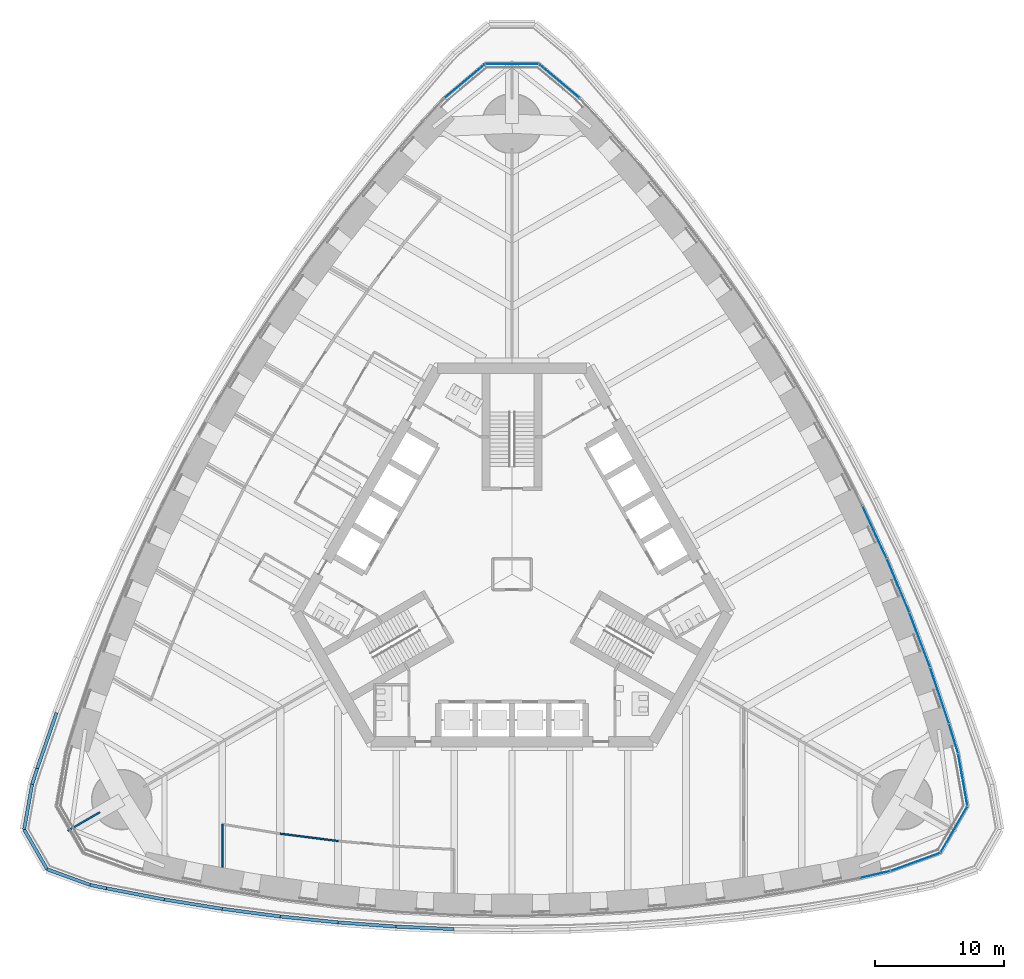
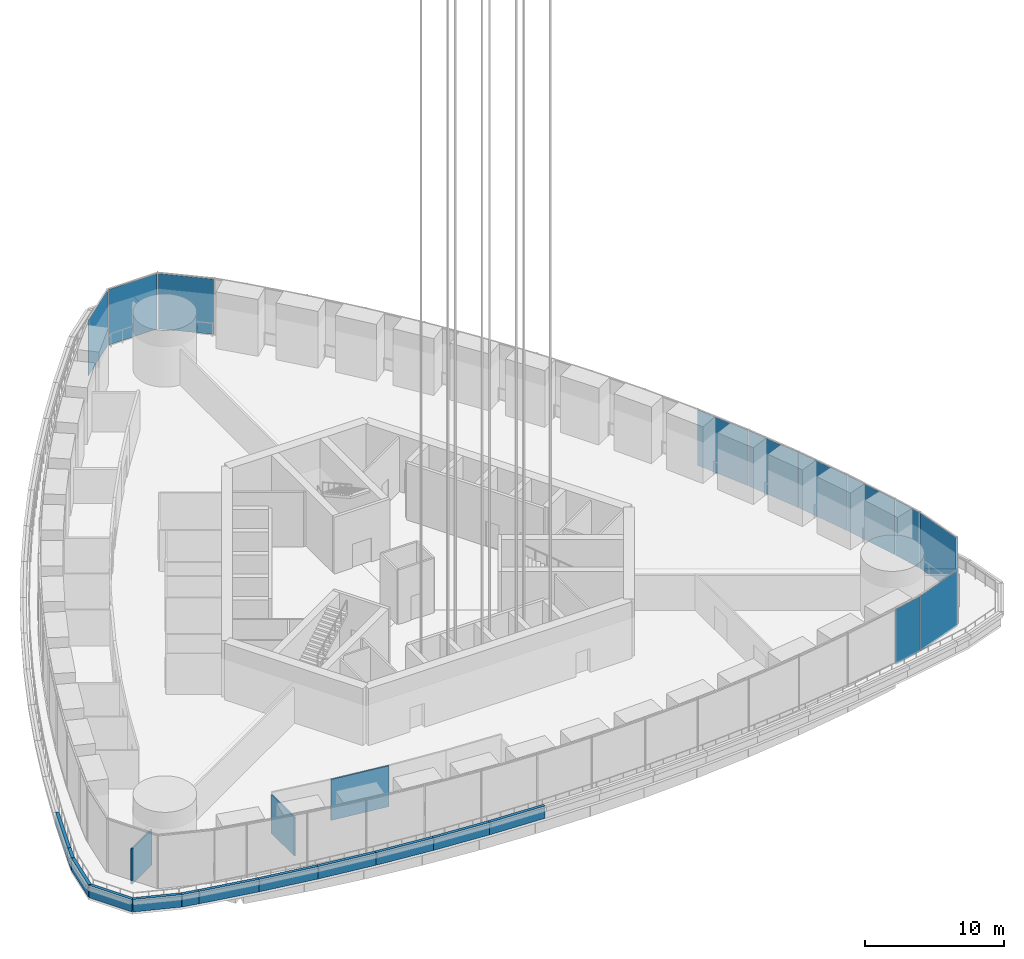
# One storey, part 13 of 33: 15 walls, 12 plates, 4 elements without a shape of their own.
"""IFC4 building model written with IfcOpenShell, lengths in metres."""

from ifc_helpers import new_model, si_unit, direction, frame, frame_2d, origin, origin_2d, place, context, subcontext, project, spatial, rectangle, extrude, material, layer, layer_set, type_object, element, aggregate, save


model = new_model("IFC4")

# Units and contexts
model_context = context("Model", 3, precision=1e-05, world=origin(), true_north=direction((0.0, 1.0)))
body_context = subcontext(model_context, "Body", "Model", "MODEL_VIEW")
ifc_project = project(units=[si_unit("LENGTHUNIT", "METRE"), si_unit("AREAUNIT", "SQUARE_METRE"), si_unit("VOLUMEUNIT", "CUBIC_METRE"), si_unit("PLANEANGLEUNIT", "RADIAN"), si_unit("MASSUNIT", "GRAM", prefix="KILO")], contexts=[model_context])

# Site, building, storey
site_placement = place(None, origin())
site = spatial("IfcSite", under=ifc_project, at=site_placement, CompositionType="ELEMENT")
building_placement = place(site_placement, origin())
building = spatial("IfcBuilding", under=site, at=building_placement, Name="Trefoil Bronze Tower", CompositionType="ELEMENT")
storey_placement = place(building_placement, frame((0.0, 0.0, 98.10009765625)))
storey = spatial("IfcBuildingStorey", under=building, at=storey_placement, Name="L22", CompositionType="ELEMENT", Elevation=98.10009765625)

# Curtain wall, plates
ifc_material_1 = material(Name="Tinted solar-control glass", Category="glass")
curtain_wall_type_1 = type_object("IfcCurtainWallType", Name="Bronze rounded corner curtain wall", PredefinedType="USERDEFINED", material=ifc_material_1)
curtain_wall_1_placement = place(storey_placement, origin())
curtain_wall_1 = element("IfcCurtainWall", 1, at=curtain_wall_1_placement, inside=storey, type_object=curtain_wall_type_1, Name="CW-B L22 K1", ObjectType="CURTAIN WALL", PredefinedType="USERDEFINED")
ifc_material_2 = material(Name="Tinted solar-control glass", Category="glass")
ifc_layer_1 = layer(ifc_material_2, 0.030029296875)
ifc_layer_set_1 = layer_set([ifc_layer_1], Name="Bronze rounded corner curtain wall glass panel")
plate_type_1 = type_object("IfcPlateType", Name="Bronze rounded corner curtain wall glass panel", PredefinedType="CURTAIN_PANEL", material=ifc_layer_set_1)
plate_1_placement = place(storey_placement, frame((31.3203125, -22.341796875, 0.0), z_axis=(0.0, 0.0, 1.0), x_axis=(0.939692620786, 0.342020143326, 0.0)))
plate_1 = element("IfcPlate", 2, at=plate_1_placement, type_object=plate_type_1, Name="CW-B L22 K1 panel 1", PredefinedType="CURTAIN_PANEL", context=body_context, shape_type="SweptSolid", body=[
    extrude(rectangle(XDim=4.044189453125, YDim=0.030029296875, at=origin_2d()), origin(), (0.0, 0.0, 1.0), 4.8798828125),
])
plate_2_placement = place(storey_placement, frame((34.3271484375, -19.81884765625, 0.0), z_axis=(0.0, 0.0, 1.0), x_axis=(0.5, 0.866025403784, 0.0)))
plate_2 = element("IfcPlate", 3, at=plate_2_placement, type_object=plate_type_1, Name="CW-B L22 K1 panel 2", PredefinedType="CURTAIN_PANEL", context=body_context, shape_type="SweptSolid", body=[
    extrude(rectangle(XDim=4.044189453125, YDim=0.030029296875, at=origin_2d()), origin(), (0.0, 0.0, 1.0), 4.8798828125),
])
plate_3_placement = place(storey_placement, frame((35.0087890625, -15.953369140625, 0.0), z_axis=(0.0, 0.0, 1.0), x_axis=(-0.173648177667, 0.984807753012, 0.0)))
plate_3 = element("IfcPlate", 4, at=plate_3_placement, type_object=plate_type_1, Name="CW-B L22 K1 panel 3", PredefinedType="CURTAIN_PANEL", context=body_context, shape_type="SweptSolid", body=[
    extrude(rectangle(XDim=4.044189453125, YDim=0.030029296875, at=origin_2d()), origin(), (0.0, 0.0, 1.0), 4.8798828125),
])
aggregate(curtain_wall_1, [plate_1, plate_2, plate_3])

curtain_wall_2_placement = place(storey_placement, origin())
curtain_wall_2 = element("IfcCurtainWall", 5, at=curtain_wall_2_placement, inside=storey, type_object=curtain_wall_type_1, Name="CW-B L22 K2", ObjectType="CURTAIN WALL", PredefinedType="USERDEFINED")
plate_4_placement = place(storey_placement, frame((3.6884765625, 38.294921875, 0.0), z_axis=(0.0, 0.0, 1.0), x_axis=(-0.766044443119, 0.642787609687, 0.0)))
plate_4 = element("IfcPlate", 6, at=plate_4_placement, type_object=plate_type_1, Name="CW-B L22 K2 panel 1", PredefinedType="CURTAIN_PANEL", context=body_context, shape_type="SweptSolid", body=[
    extrude(rectangle(XDim=4.044189453125, YDim=0.030029296875, at=origin_2d()), origin(), (0.0, 0.0, 1.0), 4.8798828125),
])
plate_5_placement = place(storey_placement, frame((0.0, 39.637451171875, 0.0), z_axis=(0.0, 0.0, 1.0), x_axis=(-1.0, 0.0, 0.0)))
plate_5 = element("IfcPlate", 7, at=plate_5_placement, type_object=plate_type_1, Name="CW-B L22 K2 panel 2", PredefinedType="CURTAIN_PANEL", context=body_context, shape_type="SweptSolid", body=[
    extrude(rectangle(XDim=4.044189453125, YDim=0.030029296875, at=origin_2d()), origin(), (0.0, 0.0, 1.0), 4.8798828125),
])
plate_6_placement = place(storey_placement, frame((-3.6884765625, 38.294921875, 0.0), z_axis=(0.0, 0.0, 1.0), x_axis=(-0.766044443119, -0.642787609687, 0.0)))
plate_6 = element("IfcPlate", 8, at=plate_6_placement, type_object=plate_type_1, Name="CW-B L22 K2 panel 3", PredefinedType="CURTAIN_PANEL", context=body_context, shape_type="SweptSolid", body=[
    extrude(rectangle(XDim=4.044189453125, YDim=0.030029296875, at=origin_2d()), origin(), (0.0, 0.0, 1.0), 4.8798828125),
])
aggregate(curtain_wall_2, [plate_4, plate_5, plate_6])

# Curtain wall, plate
ifc_material_3 = material(Name="Tinted solar-control glass", Category="glass")
curtain_wall_type_2 = type_object("IfcCurtainWallType", Name="Bronze sky lobby curtain wall", PredefinedType="USERDEFINED", material=ifc_material_3)
curtain_wall_3_placement = place(storey_placement, origin())
curtain_wall_3 = element("IfcCurtainWall", 9, at=curtain_wall_3_placement, inside=storey, type_object=curtain_wall_type_2, Name="CW-D L22 F1", ObjectType="CURTAIN WALL", PredefinedType="USERDEFINED")
ifc_material_4 = material(Name="Tinted solar-control glass", Category="glass")
ifc_layer_2 = layer(ifc_material_4, 0.030029296875)
ifc_layer_set_2 = layer_set([ifc_layer_2], Name="Bronze sky lobby curtain wall glass panel")
plate_type_2 = type_object("IfcPlateType", Name="Bronze sky lobby curtain wall glass panel", PredefinedType="CURTAIN_PANEL", material=ifc_layer_set_2)
plate_7_placement = place(storey_placement, frame((28.201416015625, -23.320068359375, 0.0), z_axis=(0.0, 0.0, 1.0), x_axis=(0.97420444715, 0.225667222151, 0.0)))
plate_7 = element("IfcPlate", 10, at=plate_7_placement, type_object=plate_type_2, Name="CW-D L22 F1 panel 14", PredefinedType="CURTAIN_PANEL", context=body_context, shape_type="SweptSolid", body=[
    extrude(rectangle(XDim=2.360107421875, YDim=0.030029296875, at=origin_2d()), origin(), (0.0, 0.0, 1.0), 4.8798828125),
])
aggregate(curtain_wall_3, [plate_7])

# Curtain wall, plates
curtain_wall_4_placement = place(storey_placement, origin())
curtain_wall_4 = element("IfcCurtainWall", 11, at=curtain_wall_4_placement, inside=storey, type_object=curtain_wall_type_2, Name="CW-D L22 F2", ObjectType="CURTAIN WALL", PredefinedType="USERDEFINED")
plate_8_placement = place(storey_placement, frame((34.296630859375, -12.762939453125, 0.0), z_axis=(0.0, 0.0, 1.0), x_axis=(-0.291668676391, 0.956519410787, 0.0)))
plate_8 = element("IfcPlate", 12, at=plate_8_placement, type_object=plate_type_2, Name="CW-D L22 F2 panel 1", PredefinedType="CURTAIN_PANEL", context=body_context, shape_type="SweptSolid", body=[
    extrude(rectangle(XDim=2.360107421875, YDim=0.030029296875, at=origin_2d()), origin(), (0.0, 0.0, 1.0), 4.8798828125),
])
plate_9_placement = place(storey_placement, frame((33.2119140625, -9.4267578125, 0.0), z_axis=(0.0, 0.0, 1.0), x_axis=(-0.318403749569, 0.947955195281, 0.0)))
plate_9 = element("IfcPlate", 13, at=plate_9_placement, type_object=plate_type_2, Name="CW-D L22 F2 panel 2", PredefinedType="CURTAIN_PANEL", context=body_context, shape_type="SweptSolid", body=[
    extrude(rectangle(XDim=4.531005859375, YDim=0.030029296875, at=origin_2d()), origin(), (0.0, 0.0, 1.0), 4.8798828125),
])
plate_10_placement = place(storey_placement, frame((31.675048828125, -5.11376953125, 0.0), z_axis=(0.0, 0.0, 1.0), x_axis=(-0.352919739707, 0.935653599002, 0.0)))
plate_10 = element("IfcPlate", 14, at=plate_10_placement, type_object=plate_type_2, Name="CW-D L22 F2 panel 3", PredefinedType="CURTAIN_PANEL", context=body_context, shape_type="SweptSolid", body=[
    extrude(rectangle(XDim=4.50048828125, YDim=0.030029296875, at=origin_2d()), origin(), (0.0, 0.0, 1.0), 4.8798828125),
])
plate_11_placement = place(storey_placement, frame((29.99169921875, -0.885498046875, 0.0), z_axis=(0.0, 0.0, 1.0), x_axis=(-0.386759234303, 0.922180727776, 0.0)))
plate_11 = element("IfcPlate", 15, at=plate_11_placement, type_object=plate_type_2, Name="CW-D L22 F2 panel 4", PredefinedType="CURTAIN_PANEL", context=body_context, shape_type="SweptSolid", body=[
    extrude(rectangle(XDim=4.476318359375, YDim=0.030029296875, at=origin_2d()), origin(), (0.0, 0.0, 1.0), 4.8798828125),
])
plate_12_placement = place(storey_placement, frame((28.164306640625, 3.260009765625, 0.0), z_axis=(0.0, 0.0, 1.0), x_axis=(-0.419932995871, 0.907555110712, 0.0)))
plate_12 = element("IfcPlate", 16, at=plate_12_placement, type_object=plate_type_2, Name="CW-D L22 F2 panel 5", PredefinedType="CURTAIN_PANEL", context=body_context, shape_type="SweptSolid", body=[
    extrude(rectangle(XDim=4.45849609375, YDim=0.030029296875, at=origin_2d()), origin(), (0.0, 0.0, 1.0), 4.8798828125),
])
aggregate(curtain_wall_4, [plate_8, plate_9, plate_10, plate_11, plate_12])

# Walls
ifc_material_5 = material(Name="Glazed partition", Category="glass")
ifc_layer_3 = layer(ifc_material_5, 0.1201171875)
ifc_layer_set_3 = layer_set([ifc_layer_3], Name="Glazed partition 120")
wall_type_1 = type_object("IfcWallType", Name="Glazed partition 120", PredefinedType="PARTITIONING", material=ifc_layer_set_3)
wall_1_placement = place(storey_placement, frame((-18.0, -20.1455078125, 0.0), z_axis=(0.0, 0.0, 1.0), x_axis=(0.992010652594, -0.12615413247, 0.0)))
element("IfcWall", 17, at=wall_1_placement, inside=storey, type_object=wall_type_1, Name="Partition F1 L22", PredefinedType="PARTITIONING", context=body_context, shape_type="SweptSolid", body=[
    extrude(rectangle(XDim=4.5361328125, YDim=0.1201171875, at=frame_2d((2.26806640625, 0.0))), origin(), (0.0, 0.0, 1.0), 3.599853515625),
])
wall_2_placement = place(storey_placement, frame((-22.5, -19.406005859375, 0.0), z_axis=(0.0, 0.0, 1.0), x_axis=(0.0, -1.0, 0.0)))
element("IfcWall", 18, at=wall_2_placement, inside=storey, type_object=wall_type_1, Name="Partition F1 L22", PredefinedType="PARTITIONING", context=body_context, shape_type="SweptSolid", body=[
    extrude(rectangle(XDim=3.343017578125, YDim=0.1201171875, at=frame_2d((1.67138671875, 0.0))), origin(), (0.0, 0.0, 1.0), 3.39990234375),
])
ifc_material_6 = material(Name="Concrete B80", Category="concrete")
ifc_layer_4 = layer(ifc_material_6, 0.25)
ifc_layer_set_4 = layer_set([ifc_layer_4], Name="Parapet 250")
wall_type_2 = type_object("IfcWallType", Name="Parapet 250", PredefinedType="PARAPET", material=ifc_layer_set_4)
wall_3_placement = place(storey_placement, frame((-32.762451171875, -24.123779296875, 0.0), z_axis=(0.0, 0.0, 1.0), x_axis=(0.978306217861, -0.207164051162, 0.0)))
element("IfcWall", 19, at=wall_3_placement, inside=storey, type_object=wall_type_2, Name="Parapet L22.1", PredefinedType="PARAPET", context=body_context, shape_type="SweptSolid", body=[
    extrude(rectangle(XDim=1.29052734375, YDim=0.25, at=frame_2d((0.645263671875, 0.0))), origin(), (0.0, 0.0, 1.0), 1.099853515625),
])
wall_4_placement = place(storey_placement, frame((-31.5, -24.39111328125, 0.0), z_axis=(0.0, 0.0, 1.0), x_axis=(0.982052021543, -0.188610251533, 0.0)))
element("IfcWall", 20, at=wall_4_placement, inside=storey, type_object=wall_type_2, Name="Parapet L22.2", PredefinedType="PARAPET", context=body_context, shape_type="SweptSolid", body=[
    extrude(rectangle(XDim=4.582275390625, YDim=0.25, at=frame_2d((2.291015625, 0.0))), origin(), (0.0, 0.0, 1.0), 1.099853515625),
])
wall_5_placement = place(storey_placement, frame((-27.0, -25.25537109375, 0.0), z_axis=(0.0, 0.0, 1.0), x_axis=(0.987181300889, -0.159602879593, 0.0)))
element("IfcWall", 21, at=wall_5_placement, inside=storey, type_object=wall_type_2, Name="Parapet L22.3", PredefinedType="PARAPET", context=body_context, shape_type="SweptSolid", body=[
    extrude(rectangle(XDim=4.558349609375, YDim=0.25, at=frame_2d((2.279296875, 0.0))), origin(), (0.0, 0.0, 1.0), 1.099853515625),
])
wall_6_placement = place(storey_placement, frame((-22.5, -25.98291015625, 0.0), z_axis=(0.0, 0.0, 1.0), x_axis=(0.991435244698, -0.130599217346, 0.0)))
element("IfcWall", 22, at=wall_6_placement, inside=storey, type_object=wall_type_2, Name="Parapet L22.4", PredefinedType="PARAPET", context=body_context, shape_type="SweptSolid", body=[
    extrude(rectangle(XDim=4.538818359375, YDim=0.25, at=frame_2d((2.26953125, 0.0))), origin(), (0.0, 0.0, 1.0), 1.099853515625),
])
wall_7_placement = place(storey_placement, frame((-18.0, -26.57568359375, 0.0), z_axis=(0.0, 0.0, 1.0), x_axis=(0.994833141332, -0.101523499286, 0.0)))
element("IfcWall", 23, at=wall_7_placement, inside=storey, type_object=wall_type_2, Name="Parapet L22.5", PredefinedType="PARAPET", context=body_context, shape_type="SweptSolid", body=[
    extrude(rectangle(XDim=4.5234375, YDim=0.25, at=frame_2d((2.26171875, 0.0))), origin(), (0.0, 0.0, 1.0), 1.099853515625),
])
wall_8_placement = place(storey_placement, frame((-13.5, -27.034912109375, 0.0), z_axis=(0.0, 0.0, 1.0), x_axis=(0.997363894896, -0.072562119306, 0.0)))
element("IfcWall", 24, at=wall_8_placement, inside=storey, type_object=wall_type_2, Name="Parapet L22.6", PredefinedType="PARAPET", context=body_context, shape_type="SweptSolid", body=[
    extrude(rectangle(XDim=4.511962890625, YDim=0.25, at=frame_2d((2.255859375, 0.0))), origin(), (0.0, 0.0, 1.0), 1.099853515625),
])
wall_9_placement = place(storey_placement, frame((-9.0, -27.3623046875, 0.0), z_axis=(0.0, 0.0, 1.0), x_axis=(0.999052370647, -0.043524254212, 0.0)))
element("IfcWall", 25, at=wall_9_placement, inside=storey, type_object=wall_type_2, Name="Parapet L22.7", PredefinedType="PARAPET", context=body_context, shape_type="SweptSolid", body=[
    extrude(rectangle(XDim=4.504150390625, YDim=0.25, at=frame_2d((2.251953125, 0.0))), origin(), (0.0, 0.0, 1.0), 1.099853515625),
])
wall_10_placement = place(storey_placement, frame((-35.371826171875, -10.7548828125, 0.0), z_axis=(0.0, 0.0, 1.0), x_axis=(-0.327664973678, -0.944793980201, 0.0)))
element("IfcWall", 26, at=wall_10_placement, inside=storey, type_object=wall_type_2, Name="Parapet L22.53", PredefinedType="PARAPET", context=body_context, shape_type="SweptSolid", body=[
    extrude(rectangle(XDim=4.582275390625, YDim=0.25, at=frame_2d((2.291015625, 0.0))), origin(), (0.0, 0.0, 1.0), 1.099853515625),
])
wall_11_placement = place(storey_placement, frame((-36.873291015625, -15.084228515625, 0.0), z_axis=(0.0, 0.0, 1.0), x_axis=(-0.309693449929, -0.950836456532, 0.0)))
element("IfcWall", 27, at=wall_11_placement, inside=storey, type_object=wall_type_2, Name="Parapet L22.54", PredefinedType="PARAPET", context=body_context, shape_type="SweptSolid", body=[
    extrude(rectangle(XDim=1.29052734375, YDim=0.25, at=frame_2d((0.645263671875, 0.0))), origin(), (0.0, 0.0, 1.0), 1.099853515625),
])
for number, where, z_axis, x_axis, name in (
    (28, (-37.27294921875, -16.311279296875, 0.0), (0.0, 0.0, 1.0), (-0.17364850733, -0.984807694884, 0.0), "Parapet L22.55"),
    (29, (-37.8916015625, -19.81982421875, 0.0), (0.0, 0.0, 1.0), (0.499971593552, -0.866041803634, 0.0), "Parapet L22.56"),
    (30, (-36.1103515625, -22.9052734375, 0.0), (0.0, 0.0, 1.0), (0.939695347797, -0.342012650832, 0.0), "Parapet L22.57"),
):
    element("IfcWall", number, at=place(storey_placement, frame(where, z_axis=z_axis, x_axis=x_axis)), inside=storey, type_object=wall_type_2, Name=name, PredefinedType="PARAPET", context=body_context, shape_type="SweptSolid", body=[
        extrude(rectangle(XDim=3.562744140625, YDim=0.25, at=frame_2d((1.78125, 0.0))), origin(), (0.0, 0.0, 1.0), 1.099853515625),
    ])
ifc_material_7 = material(Name="Gypsum board on steel studs", Category="steel")
ifc_layer_5 = layer(ifc_material_7, 0.14990234375)
ifc_layer_set_5 = layer_set([ifc_layer_5], Name="Party wall 150")
wall_type_3 = type_object("IfcWallType", Name="Party wall 150", PredefinedType="PARTITIONING", material=ifc_layer_set_5)
wall_12_placement = place(storey_placement, frame((-31.999755859375, -18.47509765625, 0.0), z_axis=(0.0, 0.0, 1.0), x_axis=(-0.866042548026, -0.499970304126, 0.0)))
element("IfcWall", 31, at=wall_12_placement, inside=storey, type_object=wall_type_3, Name="Party wall K3 L22", PredefinedType="PARTITIONING", context=body_context, shape_type="SweptSolid", body=[
    extrude(rectangle(XDim=2.899169921875, YDim=0.14990234375, at=frame_2d((1.44970703125, 0.0))), origin(), (0.0, 0.0, 1.0), 3.099853515625),
])

save(model, "model.ifc")
